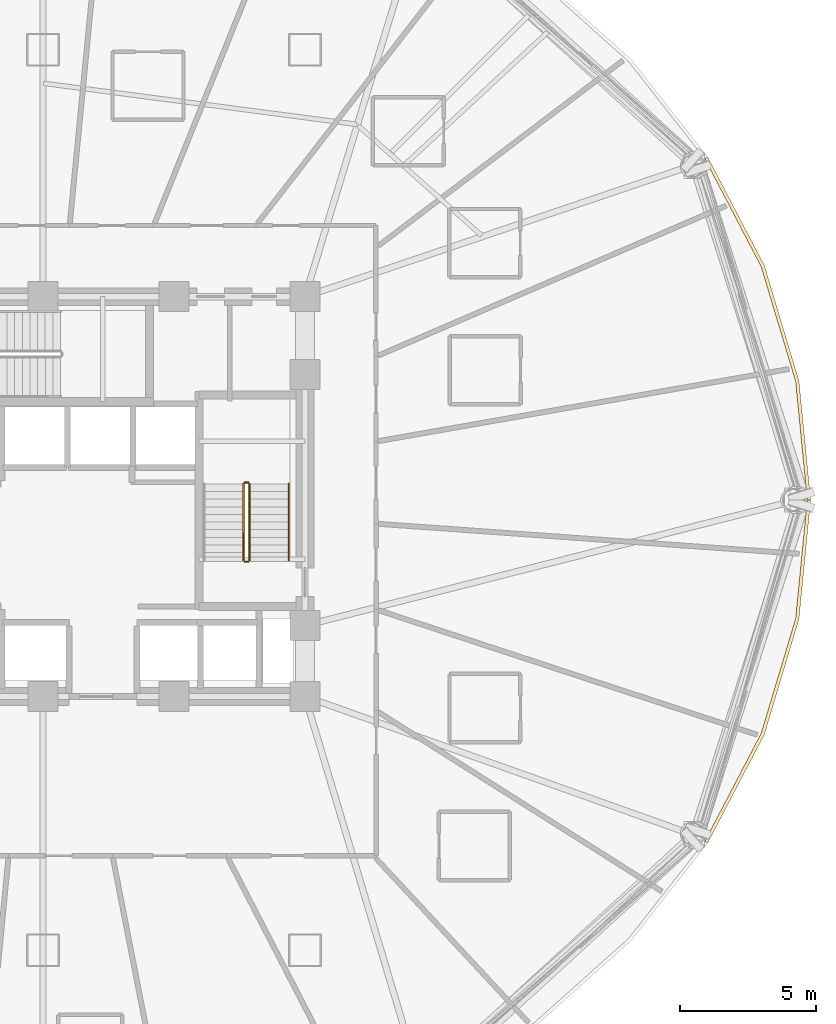
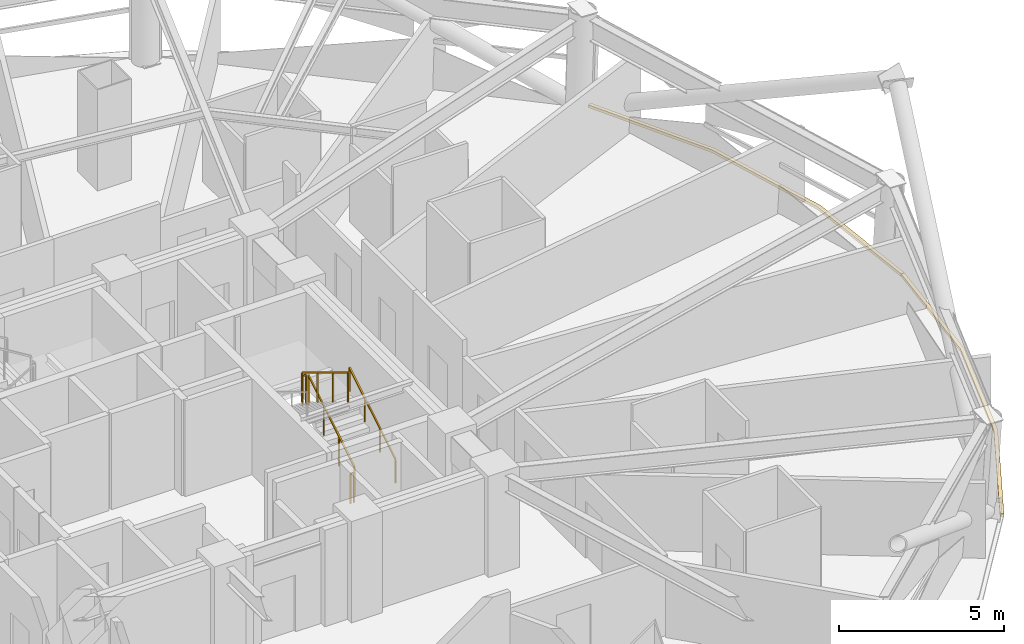
# One storey, part 15 of 16: 5 railings, 2 coverings.
"""IFC4 building model written with IfcOpenShell, lengths in metres."""

from ifc_helpers import new_model, si_unit, direction, frame, origin, origin_2d, place, context, subcontext, project, spatial, polyline, rectangle, outline, extrude, material, layer, layer_set, type_object, element, save


model = new_model("IFC4")

# Units and contexts
model_context = context("Model", 3, precision=1e-05, world=origin(), true_north=direction((0.0, 1.0)))
body_context = subcontext(model_context, "Body", "Model", "MODEL_VIEW")
ifc_project = project(units=[si_unit("LENGTHUNIT", "METRE"), si_unit("AREAUNIT", "SQUARE_METRE"), si_unit("VOLUMEUNIT", "CUBIC_METRE"), si_unit("PLANEANGLEUNIT", "RADIAN"), si_unit("MASSUNIT", "GRAM", prefix="KILO")], contexts=[model_context])

# Site, building, storey
site_placement = place(None, origin())
site = spatial("IfcSite", under=ifc_project, at=site_placement, CompositionType="ELEMENT")
building_placement = place(site_placement, origin())
building = spatial("IfcBuilding", under=site, at=building_placement, Name="Vantalir Tower", CompositionType="ELEMENT")
storey_placement = place(building_placement, frame((0.0, 0.0, 64.5)))
storey = spatial("IfcBuildingStorey", under=building, at=storey_placement, Name="L15", CompositionType="ELEMENT", Elevation=64.5)

# Coverings
ifc_material_1 = material(Name="Anodised champagne aluminium sill fascia", Category="aluminium")
ifc_layer = layer(ifc_material_1, 0.125)
ifc_layer_set = layer_set([ifc_layer], Name="Anodised champagne aluminium sill fascia")
covering_type = type_object("IfcCoveringType", Name="COV-SLAB-FASCIA-125", PredefinedType="CLADDING", material=ifc_layer_set)
covering_1_placement = place(storey_placement, frame((0.0, 0.0, -0.179931640625)))
element("IfcCovering", 1, at=covering_1_placement, inside=storey, type_object=covering_type, Name="L15 Perimeter Slab-Edge Sill Fascia 01", PredefinedType="CLADDING", context=body_context, shape_type="SweptSolid", body=[
    extrude(outline(polyline([(59.6259765625, 25.0), (59.198974609375, 29.363037109375), (57.929931640625, 33.593994140625), (55.85791015625, 37.56298828125), (55.75, 37.5), (57.81201171875, 33.551025390625), (59.075927734375, 29.341064453125), (59.5009765625, 25.0), (59.6259765625, 25.0)])), origin(), (0.0, 0.0, 1.0), 0.10498046875),
])
covering_2_placement = place(storey_placement, frame((0.0, 0.0, -0.179931640625)))
element("IfcCovering", 2, at=covering_2_placement, inside=storey, type_object=covering_type, Name="L15 Perimeter Slab-Edge Sill Fascia 12", PredefinedType="CLADDING", context=body_context, shape_type="SweptSolid", body=[
    extrude(outline(polyline([(55.85791015625, 12.43701171875), (57.929931640625, 16.406005859375), (59.198974609375, 20.636962890625), (59.6259765625, 25.0), (59.5009765625, 25.0), (59.075927734375, 20.658935546875), (57.81201171875, 16.448974609375), (55.75, 12.4990234375), (55.85791015625, 12.43701171875)])), origin(), (0.0, 0.0, 1.0), 0.10498046875),
])

# Railings
ifc_material_2 = material(Name="Anodised aluminium and stainless steel guard", Category="steel")
railing_type_1 = type_object("IfcRailingType", Name="RAL-GUARD-1120", PredefinedType="GUARDRAIL", material=ifc_material_2)
railing_1_placement = place(storey_placement, frame((39.06005859375, 22.7900390625, 0.17041015625)))
element("IfcRailing", 3, at=railing_1_placement, inside=storey, type_object=railing_type_1, Name="L15 ST2 stair guard 1", PredefinedType="GUARDRAIL", context=body_context, shape_type="SweptSolid", body=[
    extrude(rectangle(XDim=0.048095703125, YDim=0.048095703125, at=origin_2d()), frame((0.0, 0.0, 1.09619140625), z_axis=(0.0, 0.854169791009, 0.51999420009), x_axis=(-1.0, 0.0, 0.0)), (0.0, 0.0, 1.0), 3.278076171875),
    extrude(rectangle(XDim=0.0419921875, YDim=0.0419921875, at=origin_2d()), origin(), (0.0, 0.0, 1.0), 1.072021484375),
    extrude(rectangle(XDim=0.0419921875, YDim=0.0419921875, at=origin_2d()), frame((0.0, 0.933349609375, 0.568115234375)), (0.0, 0.0, 1.0), 1.072021484375),
    extrude(rectangle(XDim=0.0419921875, YDim=0.0419921875, at=origin_2d()), frame((0.0, 1.86669921875, 1.136474609375)), (0.0, 0.0, 1.0), 1.072021484375),
    extrude(rectangle(XDim=0.0419921875, YDim=0.0419921875, at=origin_2d()), frame((0.0, 2.800048828125, 1.70458984375)), (0.0, 0.0, 1.0), 1.072021484375),
])
railing_2_placement = place(storey_placement, frame((39.010009765625, 25.639892578125, 1.875)))
element("IfcRailing", 4, at=railing_2_placement, inside=storey, type_object=railing_type_1, Name="L15 ST2 stair guard 2", PredefinedType="GUARDRAIL", context=body_context, shape_type="SweptSolid", body=[
    extrude(rectangle(XDim=0.048095703125, YDim=0.048095703125, at=origin_2d()), frame((0.0, 0.0, 1.09619140625), z_axis=(-1.0, 0.0, 0.0), x_axis=(0.0, -1.0, 0.0)), (0.0, 0.0, 1.0), 0.1201171875),
    extrude(rectangle(XDim=0.0419921875, YDim=0.0419921875, at=origin_2d()), origin(), (0.0, 0.0, 1.0), 1.072021484375),
    extrude(rectangle(XDim=0.0419921875, YDim=0.0419921875, at=origin_2d()), frame((-0.1201171875, 0.0, 0.0)), (0.0, 0.0, 1.0), 1.072021484375),
])
railing_3_placement = place(storey_placement, frame((38.840087890625, 25.590087890625, 2.04541015625)))
element("IfcRailing", 5, at=railing_3_placement, inside=storey, type_object=railing_type_1, Name="L15 ST2 stair guard 3", PredefinedType="GUARDRAIL", context=body_context, shape_type="SweptSolid", body=[
    extrude(rectangle(XDim=0.048095703125, YDim=0.048095703125, at=origin_2d()), frame((0.0, 0.0, 1.09619140625), z_axis=(0.0, -0.854169791009, 0.51999420009), x_axis=(1.0, 0.0, 0.0)), (0.0, 0.0, 1.0), 3.278076171875),
    extrude(rectangle(XDim=0.0419921875, YDim=0.0419921875, at=origin_2d()), origin(), (0.0, 0.0, 1.0), 1.072021484375),
    extrude(rectangle(XDim=0.0419921875, YDim=0.0419921875, at=origin_2d()), frame((0.0, -0.933349609375, 0.568115234375)), (0.0, 0.0, 1.0), 1.072021484375),
    extrude(rectangle(XDim=0.0419921875, YDim=0.0419921875, at=origin_2d()), frame((0.0, -1.86669921875, 1.136474609375)), (0.0, 0.0, 1.0), 1.072021484375),
    extrude(rectangle(XDim=0.0419921875, YDim=0.0419921875, at=origin_2d()), frame((0.0, -2.800048828125, 1.70458984375)), (0.0, 0.0, 1.0), 1.072021484375),
])
railing_4_placement = place(storey_placement, frame((39.010009765625, 22.739990234375, 0.0)))
element("IfcRailing", 6, at=railing_4_placement, inside=storey, type_object=railing_type_1, Name="L15 ST2 stair guard 4", PredefinedType="GUARDRAIL", context=body_context, shape_type="SweptSolid", body=[
    extrude(rectangle(XDim=0.048095703125, YDim=0.048095703125, at=origin_2d()), frame((0.0, 0.0, 1.09619140625), z_axis=(-1.0, 0.0, 0.0), x_axis=(0.0, -1.0, 0.0)), (0.0, 0.0, 1.0), 0.1201171875),
    extrude(rectangle(XDim=0.0419921875, YDim=0.0419921875, at=origin_2d()), origin(), (0.0, 0.0, 1.0), 1.072021484375),
    extrude(rectangle(XDim=0.0419921875, YDim=0.0419921875, at=origin_2d()), frame((-0.1201171875, 0.0, 0.0)), (0.0, 0.0, 1.0), 1.072021484375),
])
ifc_material_3 = material(Name="Brushed stainless steel tubular handrail", Category="steel")
railing_type_2 = type_object("IfcRailingType", Name="RAL-HANDRAIL-900", PredefinedType="HANDRAIL", material=ifc_material_3)
railing_5_placement = place(storey_placement, frame((40.5, 22.7900390625, 0.17041015625)))
element("IfcRailing", 7, at=railing_5_placement, inside=storey, type_object=railing_type_2, Name="L15 ST2 stair handrail 1", PredefinedType="HANDRAIL", context=body_context, shape_type="SweptSolid", body=[
    extrude(rectangle(XDim=0.048095703125, YDim=0.048095703125, at=origin_2d()), frame((0.0, 0.0, 0.8759765625), z_axis=(0.0, 0.854169791009, 0.51999420009), x_axis=(-1.0, 0.0, 0.0)), (0.0, 0.0, 1.0), 3.278076171875),
    extrude(rectangle(XDim=0.0419921875, YDim=0.0419921875, at=origin_2d()), origin(), (0.0, 0.0, 1.0), 0.851806640625),
    extrude(rectangle(XDim=0.0419921875, YDim=0.0419921875, at=origin_2d()), frame((0.0, 0.933349609375, 0.568115234375)), (0.0, 0.0, 1.0), 0.851806640625),
    extrude(rectangle(XDim=0.0419921875, YDim=0.0419921875, at=origin_2d()), frame((0.0, 1.86669921875, 1.136474609375)), (0.0, 0.0, 1.0), 0.851806640625),
    extrude(rectangle(XDim=0.0419921875, YDim=0.0419921875, at=origin_2d()), frame((0.0, 2.800048828125, 1.70458984375)), (0.0, 0.0, 1.0), 0.851806640625),
])

save(model, "model.ifc")
